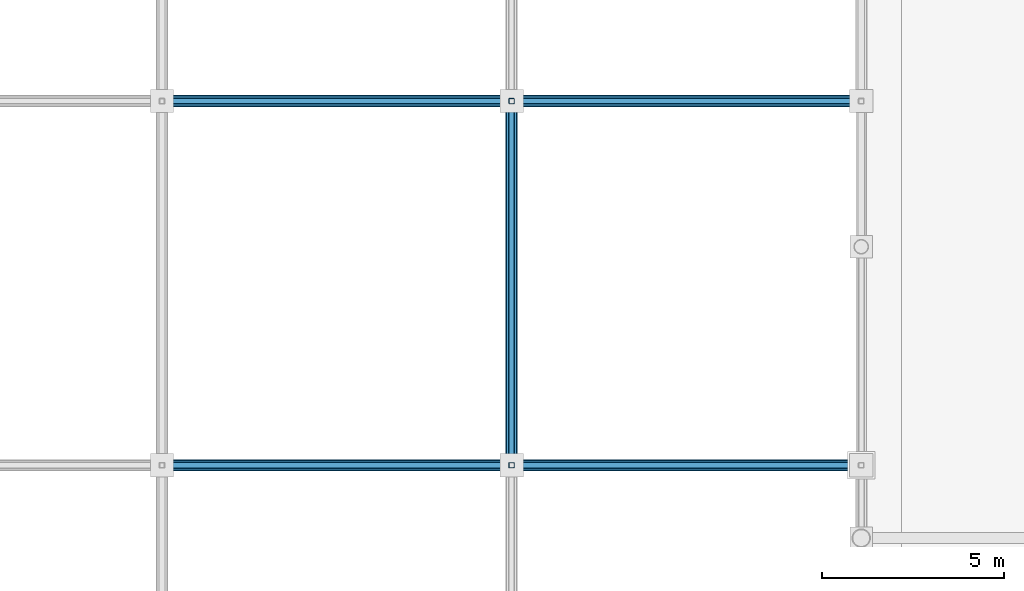
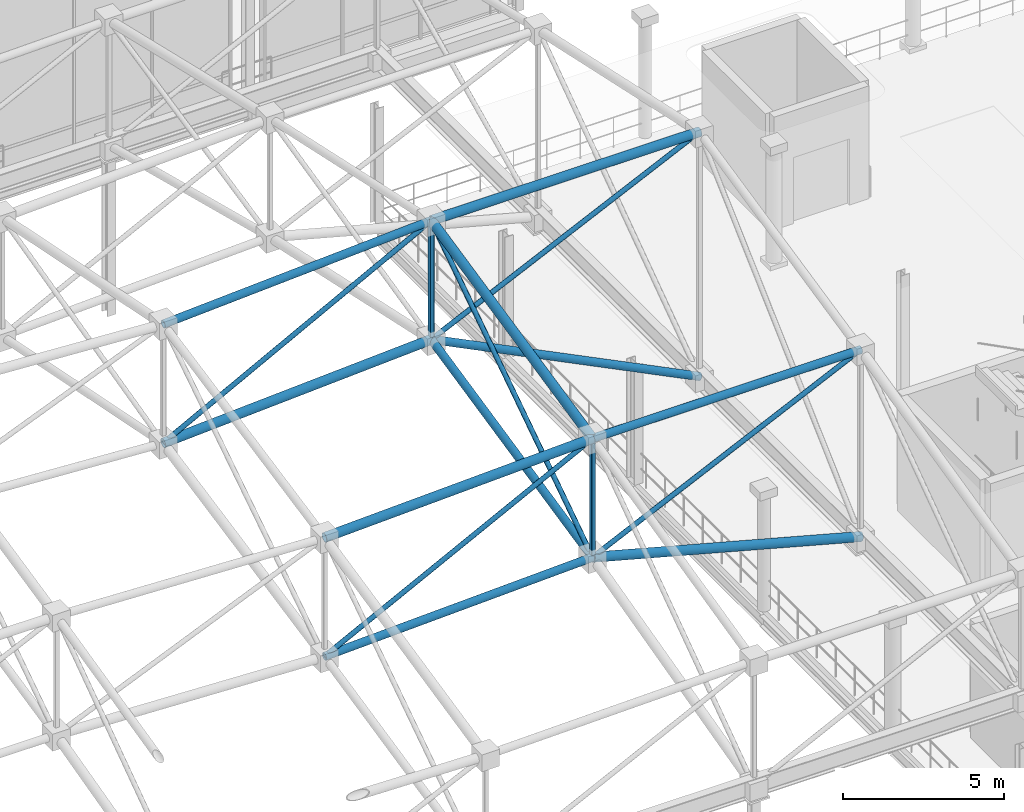
# One storey, part 82 of 193: 17 members.
"""IFC4 building model written with IfcOpenShell, lengths in metres."""

from ifc_helpers import new_model, si_unit, direction, frame, origin, origin_2d, place, context, subcontext, project, spatial, hollow_rectangle, hollow_circle, extrude, material, material_profile, profile_set, type_object, element, save


model = new_model("IFC4")

# Units and contexts
model_context = context("Model", 3, precision=1e-05, world=origin(), true_north=direction((0.0, 1.0)))
body_context = subcontext(model_context, "Body", "Model", "MODEL_VIEW")
ifc_project = project(units=[si_unit("LENGTHUNIT", "METRE"), si_unit("AREAUNIT", "SQUARE_METRE"), si_unit("VOLUMEUNIT", "CUBIC_METRE"), si_unit("PLANEANGLEUNIT", "RADIAN"), si_unit("MASSUNIT", "GRAM", prefix="KILO")], contexts=[model_context])

# Site, building, storey
site_placement = place(None, origin())
site = spatial("IfcSite", under=ifc_project, at=site_placement, CompositionType="ELEMENT")
building_placement = place(site_placement, origin())
building = spatial("IfcBuilding", under=site, at=building_placement, Name="Danafjord Basin Convention Centre", CompositionType="ELEMENT")
storey_placement = place(building_placement, frame((0.0, 0.0, 11.39990234375)))
storey = spatial("IfcBuildingStorey", under=building, at=storey_placement, Name="L02", CompositionType="ELEMENT", Elevation=11.39990234375)

# Members
ifc_material = material(Name="Steel S355", Category="steel")
ifc_material_profile_1 = material_profile(ifc_material, hollow_circle(Radius=0.136474609375, WallThickness=0.012451171875, at=origin_2d()), Name="CHS 273.0x12.5")
ifc_profile_set_1 = profile_set([ifc_material_profile_1], Name="Steel S355")
member_type_1 = type_object("IfcMemberType", Name="MEM-CH-CHS273", PredefinedType="CHORD", material=ifc_profile_set_1)
member_1_placement = place(storey_placement, frame((172.800048828125, 50.0, 8.5341796875), z_axis=(0.999160725622, 0.0, 0.040961498683), x_axis=(0.0, 1.0, 0.0)))
element("IfcMember", 1, at=member_1_placement, inside=storey, type_object=member_type_1, Name="V3 roof truss longitudinal bottom chord", PredefinedType="CHORD", context=body_context, shape_type="SweptSolid", body=[
    extrude(hollow_circle(Radius=0.136474609375, WallThickness=0.012451171875, at=origin_2d()), origin(), (0.0, 0.0, 1.0), 9.60791015625),
])
member_2_placement = place(storey_placement, frame((172.800048828125, 60.0, 15.050048828125), z_axis=(0.998287741647, 0.0, 0.058494314915), x_axis=(0.0, 1.0, 0.0)))
element("IfcMember", 2, at=member_2_placement, inside=storey, type_object=member_type_1, Name="V3 roof truss longitudinal top chord", PredefinedType="CHORD", context=body_context, shape_type="SweptSolid", body=[
    extrude(hollow_circle(Radius=0.136474609375, WallThickness=0.012451171875, at=origin_2d()), origin(), (0.0, 0.0, 1.0), 9.6162109375),
])
member_3_placement = place(storey_placement, frame((182.39990234375, 50.0, 13.427734375), z_axis=(0.999999999677, 0.0, 2.5431056e-05), x_axis=(0.0, 1.0, 0.0)))
element("IfcMember", 3, at=member_3_placement, inside=storey, type_object=member_type_1, Name="V3 roof truss longitudinal top chord", PredefinedType="CHORD", context=body_context, shape_type="SweptSolid", body=[
    extrude(hollow_circle(Radius=0.136474609375, WallThickness=0.012451171875, at=origin_2d()), origin(), (0.0, 0.0, 1.0), 9.60009765625),
])
member_4_placement = place(storey_placement, frame((182.39990234375, 50.0, 8.927734375), z_axis=(0.0, 0.976954756916, 0.213446487296), x_axis=(-1.0, 0.0, 0.0)))
element("IfcMember", 4, at=member_4_placement, inside=storey, type_object=member_type_1, Name="V3 roof truss transverse bottom chord", PredefinedType="CHORD", context=body_context, shape_type="SweptSolid", body=[
    extrude(hollow_circle(Radius=0.136474609375, WallThickness=0.012451171875, at=origin_2d()), origin(), (0.0, 0.0, 1.0), 10.23583984375),
])
member_5_placement = place(storey_placement, frame((182.39990234375, 60.0, 11.112548828125), z_axis=(0.895826146443, 0.0, -0.444404675211), x_axis=(0.0, 1.0, 0.0)))
element("IfcMember", 5, at=member_5_placement, inside=storey, type_object=member_type_1, Name="V3 roof truss longitudinal bottom chord", PredefinedType="CHORD", context=body_context, shape_type="SweptSolid", body=[
    extrude(hollow_circle(Radius=0.136474609375, WallThickness=0.012451171875, at=origin_2d()), origin(), (0.0, 0.0, 1.0), 10.716552734375),
])
ifc_material_profile_2 = material_profile(ifc_material, hollow_circle(Radius=0.161865234375, WallThickness=0.01611328125, at=origin_2d()), Name="CHS 323.9x16.0")
ifc_profile_set_2 = profile_set([ifc_material_profile_2], Name="Steel S355")
member_type_2 = type_object("IfcMemberType", Name="MEM-CH-CHS324", PredefinedType="CHORD", material=ifc_profile_set_2)
member_6_placement = place(storey_placement, frame((172.800048828125, 50.0, 13.0341796875), z_axis=(0.999160725622, 0.0, 0.040961498683), x_axis=(0.0, 1.0, 0.0)))
element("IfcMember", 6, at=member_6_placement, inside=storey, type_object=member_type_2, Name="V3 roof truss longitudinal top chord", PredefinedType="CHORD", context=body_context, shape_type="SweptSolid", body=[
    extrude(hollow_circle(Radius=0.161865234375, WallThickness=0.01611328125, at=origin_2d()), origin(), (0.0, 0.0, 1.0), 9.60791015625),
])
member_7_placement = place(storey_placement, frame((172.800048828125, 60.0, 10.550048828125), z_axis=(0.998287741647, 0.0, 0.058494314915), x_axis=(0.0, 1.0, 0.0)))
element("IfcMember", 7, at=member_7_placement, inside=storey, type_object=member_type_2, Name="V3 roof truss longitudinal bottom chord", PredefinedType="CHORD", context=body_context, shape_type="SweptSolid", body=[
    extrude(hollow_circle(Radius=0.161865234375, WallThickness=0.01611328125, at=origin_2d()), origin(), (0.0, 0.0, 1.0), 9.6162109375),
])
member_8_placement = place(storey_placement, frame((182.39990234375, 50.0, 8.927734375), z_axis=(0.965792442786, 0.0, -0.259316327016), x_axis=(0.0, 1.0, 0.0)))
element("IfcMember", 8, at=member_8_placement, inside=storey, type_object=member_type_2, Name="V3 roof truss longitudinal bottom chord", PredefinedType="CHORD", context=body_context, shape_type="SweptSolid", body=[
    extrude(hollow_circle(Radius=0.161865234375, WallThickness=0.01611328125, at=origin_2d()), origin(), (0.0, 0.0, 1.0), 9.940185546875),
])
member_9_placement = place(storey_placement, frame((182.39990234375, 50.0, 13.427734375), z_axis=(0.0, 0.976954756916, 0.213446487296), x_axis=(-1.0, 0.0, 0.0)))
element("IfcMember", 9, at=member_9_placement, inside=storey, type_object=member_type_2, Name="V3 roof truss transverse top chord", PredefinedType="CHORD", context=body_context, shape_type="SweptSolid", body=[
    extrude(hollow_circle(Radius=0.161865234375, WallThickness=0.01611328125, at=origin_2d()), origin(), (0.0, 0.0, 1.0), 10.23583984375),
])
member_10_placement = place(storey_placement, frame((182.39990234375, 60.0, 15.612548828125), z_axis=(1.0, 0.0, 0.0), x_axis=(0.0, 1.0, 0.0)))
element("IfcMember", 10, at=member_10_placement, inside=storey, type_object=member_type_2, Name="V3 roof truss longitudinal top chord", PredefinedType="CHORD", context=body_context, shape_type="SweptSolid", body=[
    extrude(hollow_circle(Radius=0.161865234375, WallThickness=0.01611328125, at=origin_2d()), origin(), (0.0, 0.0, 1.0), 9.60009765625),
])
ifc_material_profile_3 = material_profile(ifc_material, hollow_rectangle(XDim=0.14990234375, YDim=0.14990234375, WallThickness=0.008056640625, InnerFilletRadius=0.011962890625, OuterFilletRadius=0.02001953125, at=origin_2d()), Name="SHS 150x150x8.0")
ifc_profile_set_3 = profile_set([ifc_material_profile_3], Name="Steel S355")
member_type_3 = type_object("IfcMemberType", Name="MEM-ST-SHS150", PredefinedType="STRUT", material=ifc_profile_set_3)
for number, where, z_axis, x_axis, name in (
    (11, (182.39990234375, 50.0, 8.927734375), (0.0, 0.0, 1.0), (1.0, 0.0, 0.0), "V3 roof truss vertical strut"),
    (12, (182.39990234375, 60.0, 11.112548828125), (0.0, 0.0, 1.0), (1.0, 0.0, 0.0), "V3 roof truss vertical strut"),
):
    element("IfcMember", number, at=place(storey_placement, frame(where, z_axis=z_axis, x_axis=x_axis)), inside=storey, type_object=member_type_3, Name=name, PredefinedType="STRUT", context=body_context, shape_type="SweptSolid", body=[
        extrude(hollow_rectangle(XDim=0.14990234375, YDim=0.14990234375, WallThickness=0.008056640625, InnerFilletRadius=0.011962890625, OuterFilletRadius=0.02001953125, at=origin_2d()), origin(), (0.0, 0.0, 1.0), 4.5),
    ])
ifc_material_profile_4 = material_profile(ifc_material, hollow_circle(Radius=0.084228515625, WallThickness=0.008056640625, at=origin_2d()), Name="CHS 168.3x8.0")
ifc_profile_set_4 = profile_set([ifc_material_profile_4], Name="Steel S355")
member_type_4 = type_object("IfcMemberType", Name="MEM-WB-CHS168", PredefinedType="MEMBER", material=ifc_profile_set_4)
member_11_placement = place(storey_placement, frame((172.800048828125, 50.0, 8.5341796875), z_axis=(0.890924482548, 0.0, 0.454151479571), x_axis=(0.0, 1.0, 0.0)))
element("IfcMember", 13, at=member_11_placement, inside=storey, type_object=member_type_4, Name="V3 space-frame longitudinal web", PredefinedType="MEMBER", context=body_context, shape_type="SweptSolid", body=[
    extrude(hollow_circle(Radius=0.084228515625, WallThickness=0.008056640625, at=origin_2d()), origin(), (0.0, 0.0, 1.0), 10.775146484375),
])
member_12_placement = place(storey_placement, frame((172.800048828125, 60.0, 10.550048828125), z_axis=(0.884540243512, 0.0, 0.466463886714), x_axis=(0.0, 1.0, 0.0)))
element("IfcMember", 14, at=member_12_placement, inside=storey, type_object=member_type_4, Name="V3 space-frame longitudinal web", PredefinedType="MEMBER", context=body_context, shape_type="SweptSolid", body=[
    extrude(hollow_circle(Radius=0.084228515625, WallThickness=0.008056640625, at=origin_2d()), origin(), (0.0, 0.0, 1.0), 10.85302734375),
])
member_13_placement = place(storey_placement, frame((182.39990234375, 50.0, 8.927734375), z_axis=(0.905451745779, 0.0, 0.424449214942), x_axis=(0.0, 1.0, 0.0)))
element("IfcMember", 15, at=member_13_placement, inside=storey, type_object=member_type_4, Name="V3 space-frame longitudinal web", PredefinedType="MEMBER", context=body_context, shape_type="SweptSolid", body=[
    extrude(hollow_circle(Radius=0.084228515625, WallThickness=0.008056640625, at=origin_2d()), origin(), (0.0, 0.0, 1.0), 10.6025390625),
])
member_14_placement = place(storey_placement, frame((182.39990234375, 50.0, 8.927734375), z_axis=(0.0, 0.831353305405, 0.555744259163), x_axis=(-1.0, 0.0, 0.0)))
element("IfcMember", 16, at=member_14_placement, inside=storey, type_object=member_type_4, Name="V3 space-frame transverse web", PredefinedType="MEMBER", context=body_context, shape_type="SweptSolid", body=[
    extrude(hollow_circle(Radius=0.084228515625, WallThickness=0.008056640625, at=origin_2d()), origin(), (0.0, 0.0, 1.0), 12.028564453125),
])
member_15_placement = place(storey_placement, frame((182.39990234375, 60.0, 11.112548828125), z_axis=(0.90546059521, 0.0, 0.424430336476), x_axis=(0.0, 1.0, 0.0)))
element("IfcMember", 17, at=member_15_placement, inside=storey, type_object=member_type_4, Name="V3 space-frame longitudinal web", PredefinedType="MEMBER", context=body_context, shape_type="SweptSolid", body=[
    extrude(hollow_circle(Radius=0.084228515625, WallThickness=0.008056640625, at=origin_2d()), origin(), (0.0, 0.0, 1.0), 10.6025390625),
])

save(model, "model.ifc")
